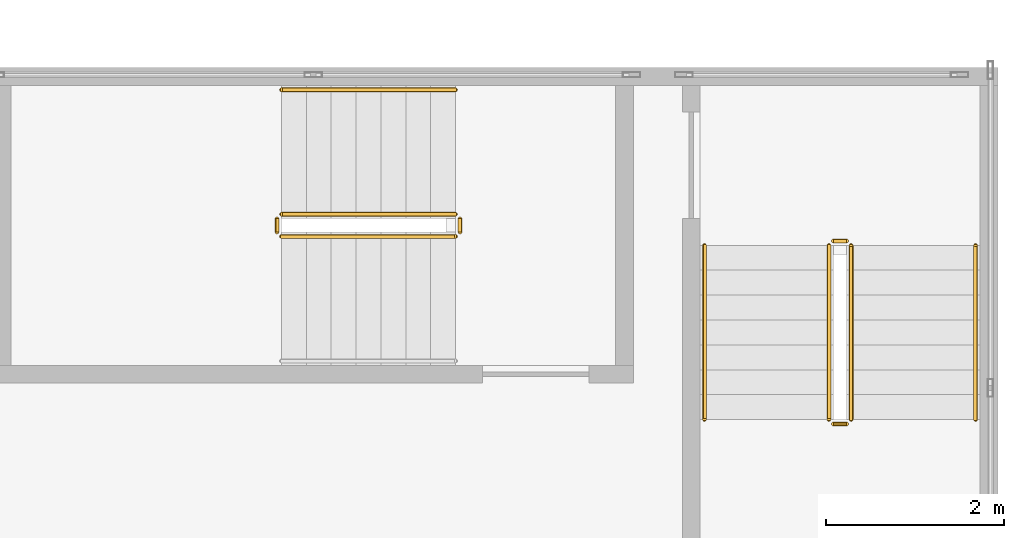
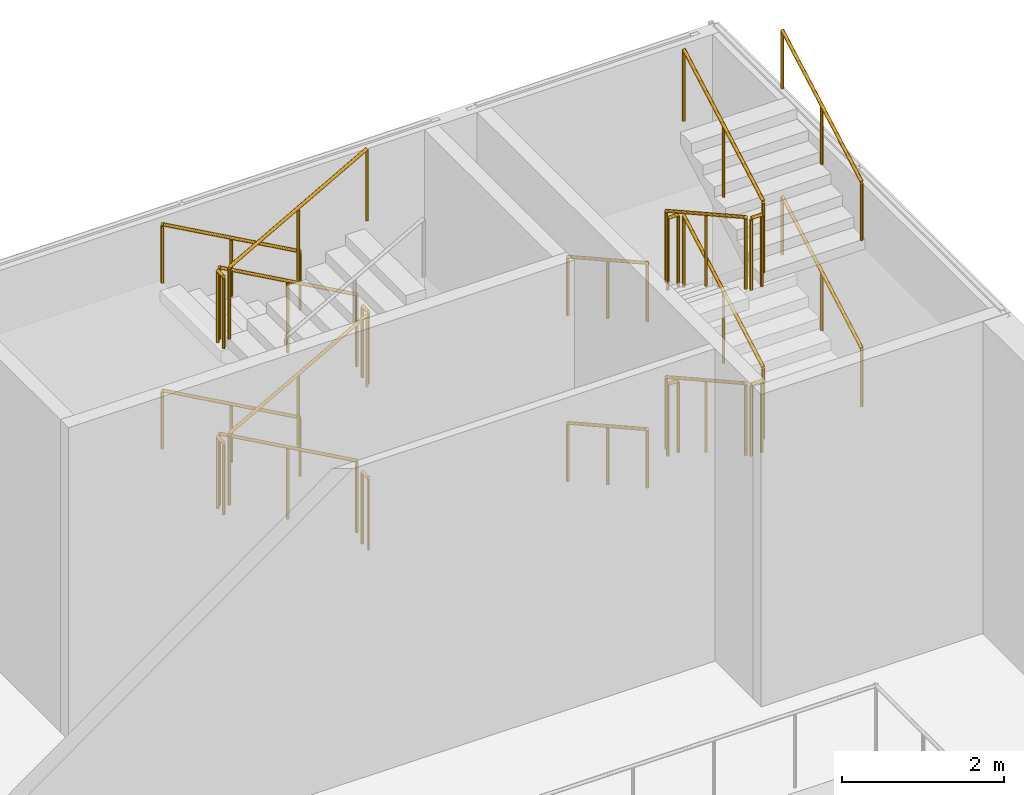
# One storey, part 23 of 23: 22 railings.
"""IFC4 building model written with IfcOpenShell, lengths in metres."""

from ifc_helpers import new_model, si_unit, direction, frame, origin, origin_2d, place, context, subcontext, project, spatial, circle, extrude, source, transform, mapped, material, type_object, element, save


model = new_model("IFC4")

# Units and contexts
model_context = context("Model", 3, precision=1e-05, world=origin(), true_north=direction((0.0, 1.0)))
body_context = subcontext(model_context, "Body", "Model", "MODEL_VIEW")
ifc_project = project(units=[si_unit("LENGTHUNIT", "METRE"), si_unit("AREAUNIT", "SQUARE_METRE"), si_unit("VOLUMEUNIT", "CUBIC_METRE"), si_unit("PLANEANGLEUNIT", "RADIAN"), si_unit("MASSUNIT", "GRAM", prefix="KILO")], contexts=[model_context])

# Site, building, storey
site_placement = place(None, origin())
site = spatial("IfcSite", under=ifc_project, at=site_placement, CompositionType="ELEMENT")
building_placement = place(site_placement, origin())
building = spatial("IfcBuilding", under=site, at=building_placement, Name="Khomas Fold Tower", CompositionType="ELEMENT")
storey_placement = place(building_placement, frame((0.0, 0.0, 18.5)))
storey = spatial("IfcBuildingStorey", under=building, at=storey_placement, Name="L03", CompositionType="ELEMENT", Elevation=18.5)

# Railings
ifc_material_1 = material(Name="Steel balustrade", Category="steel")
railing_type_1 = type_object("IfcRailingType", Name="Stair guard", PredefinedType="GUARDRAIL", material=ifc_material_1)
shared_shape_1 = source(origin(), body_context, "Body", "SweptSolid", [
    extrude(circle(Radius=0.02392578125, at=origin_2d()), frame((0.0, 0.0, 1.076171875), z_axis=(0.873232148454, 0.0, 0.487304437602), x_axis=(0.0, 1.0, 0.0)), (0.0, 0.0, 1.0), 2.244384765625),
    extrude(circle(Radius=0.02099609375, at=origin_2d()), origin(), (0.0, 0.0, 1.0), 1.052001953125),
    extrude(circle(Radius=0.02099609375, at=origin_2d()), frame((0.97998046875, 0.0, 0.546875)), (0.0, 0.0, 1.0), 1.052001953125),
    extrude(circle(Radius=0.02099609375, at=origin_2d()), frame((1.9599609375, 0.0, 1.09375)), (0.0, 0.0, 1.0), 1.052001953125),
])
for number, where, name in (
    (1, (72.93994140625, 52.10009765625, 1.40625), "L03 PS5 stair guard 3"),
    (2, (72.93994140625, 52.10009765625, 3.90625), "L03 PS5 stair guard 7"),
):
    element("IfcRailing", number, at=place(storey_placement, frame(where)), inside=storey, type_object=railing_type_1, Name=name, PredefinedType="GUARDRAIL", context=body_context, shape_type="MappedRepresentation", body=[
        mapped(shared_shape_1, transform((0.0, 0.0, 0.0))),
    ])
shared_shape_2 = source(origin(), body_context, "Body", "SweptSolid", [
    extrude(circle(Radius=0.02392578125, at=origin_2d()), frame((0.0, 0.0, 1.076171875), z_axis=(-0.873232148454, 0.0, 0.487304437602), x_axis=(0.0, -1.0, 0.0)), (0.0, 0.0, 1.0), 2.244384765625),
    extrude(circle(Radius=0.02099609375, at=origin_2d()), origin(), (0.0, 0.0, 1.0), 1.052001953125),
    extrude(circle(Radius=0.02099609375, at=origin_2d()), frame((-0.97998046875, 0.0, 0.546875)), (0.0, 0.0, 1.0), 1.052001953125),
    extrude(circle(Radius=0.02099609375, at=origin_2d()), frame((-1.9599609375, 0.0, 1.09375)), (0.0, 0.0, 1.0), 1.052001953125),
])
for number, where, name in (
    (3, (74.89990234375, 52.35009765625, 0.15625), "L03 PS5 stair guard 1"),
    (4, (74.89990234375, 52.35009765625, 2.65625), "L03 PS5 stair guard 5"),
):
    element("IfcRailing", number, at=place(storey_placement, frame(where)), inside=storey, type_object=railing_type_1, Name=name, PredefinedType="GUARDRAIL", context=body_context, shape_type="MappedRepresentation", body=[
        mapped(shared_shape_2, transform((0.0, 0.0, 0.0))),
    ])
ifc_material_2 = material(Name="Steel handrail", Category="steel")
railing_type_2 = type_object("IfcRailingType", Name="Stair handrail", PredefinedType="HANDRAIL", material=ifc_material_2)
shared_shape_3 = source(origin(), body_context, "Body", "SweptSolid", [
    extrude(circle(Radius=0.02392578125, at=origin_2d()), frame((0.0, 0.0, 0.8759765625), z_axis=(-0.873232148454, 0.0, 0.487304437602), x_axis=(0.0, -1.0, 0.0)), (0.0, 0.0, 1.0), 2.244384765625),
    extrude(circle(Radius=0.02099609375, at=origin_2d()), origin(), (0.0, 0.0, 1.0), 0.851806640625),
    extrude(circle(Radius=0.02099609375, at=origin_2d()), frame((-0.97998046875, 0.0, 0.546875)), (0.0, 0.0, 1.0), 0.851806640625),
    extrude(circle(Radius=0.02099609375, at=origin_2d()), frame((-1.9599609375, 0.0, 1.09375)), (0.0, 0.0, 1.0), 0.851806640625),
])
for number, where, name in (
    (5, (74.89990234375, 53.75, 0.15625), "L03 PS5 stair handrail 1"),
    (6, (74.89990234375, 53.75, 2.65625), "L03 PS5 stair handrail 3"),
):
    element("IfcRailing", number, at=place(storey_placement, frame(where)), inside=storey, type_object=railing_type_2, Name=name, PredefinedType="HANDRAIL", context=body_context, shape_type="MappedRepresentation", body=[
        mapped(shared_shape_3, transform((0.0, 0.0, 0.0))),
    ])
shared_shape_4 = source(origin(), body_context, "Body", "SweptSolid", [
    extrude(circle(Radius=0.02392578125, at=origin_2d()), frame((0.0, 0.0, 1.076171875), z_axis=(0.0, 0.873232148454, 0.487304437602), x_axis=(-1.0, 0.0, 0.0)), (0.0, 0.0, 1.0), 2.244384765625),
    extrude(circle(Radius=0.02099609375, at=origin_2d()), origin(), (0.0, 0.0, 1.0), 1.052001953125),
    extrude(circle(Radius=0.02099609375, at=origin_2d()), frame((0.0, 0.97998046875, 0.546875)), (0.0, 0.0, 1.0), 1.052001953125),
    extrude(circle(Radius=0.02099609375, at=origin_2d()), frame((0.0, 1.9599609375, 1.09375)), (0.0, 0.0, 1.0), 1.052001953125),
])
for number, where, name in (
    (7, (79.35009765625, 50.0400390625, 1.40625), "L03 PS6 stair guard 3"),
    (8, (79.35009765625, 50.0400390625, 3.90625), "L03 PS6 stair guard 7"),
):
    element("IfcRailing", number, at=place(storey_placement, frame(where)), inside=storey, type_object=railing_type_1, Name=name, PredefinedType="GUARDRAIL", context=body_context, shape_type="MappedRepresentation", body=[
        mapped(shared_shape_4, transform((0.0, 0.0, 0.0))),
    ])
shared_shape_5 = source(origin(), body_context, "Body", "SweptSolid", [
    extrude(circle(Radius=0.02392578125, at=origin_2d()), frame((0.0, 0.0, 1.076171875), z_axis=(0.0, -0.873232148454, 0.487304437602), x_axis=(1.0, 0.0, 0.0)), (0.0, 0.0, 1.0), 2.244384765625),
    extrude(circle(Radius=0.02099609375, at=origin_2d()), origin(), (0.0, 0.0, 1.0), 1.052001953125),
    extrude(circle(Radius=0.02099609375, at=origin_2d()), frame((0.0, -0.97998046875, 0.546875)), (0.0, 0.0, 1.0), 1.052001953125),
    extrude(circle(Radius=0.02099609375, at=origin_2d()), frame((0.0, -1.9599609375, 1.09375)), (0.0, 0.0, 1.0), 1.052001953125),
])
for number, where, name in (
    (9, (79.10009765625, 52.0, 0.15625), "L03 PS6 stair guard 1"),
    (10, (79.10009765625, 52.0, 2.65625), "L03 PS6 stair guard 5"),
):
    element("IfcRailing", number, at=place(storey_placement, frame(where)), inside=storey, type_object=railing_type_1, Name=name, PredefinedType="GUARDRAIL", context=body_context, shape_type="MappedRepresentation", body=[
        mapped(shared_shape_5, transform((0.0, 0.0, 0.0))),
    ])
shared_shape_6 = source(origin(), body_context, "Body", "SweptSolid", [
    extrude(circle(Radius=0.02392578125, at=origin_2d()), frame((0.0, 0.0, 0.8759765625), z_axis=(0.0, 0.873232148454, 0.487304437602), x_axis=(-1.0, 0.0, 0.0)), (0.0, 0.0, 1.0), 2.244384765625),
    extrude(circle(Radius=0.02099609375, at=origin_2d()), origin(), (0.0, 0.0, 1.0), 0.851806640625),
    extrude(circle(Radius=0.02099609375, at=origin_2d()), frame((0.0, 0.97998046875, 0.546875)), (0.0, 0.0, 1.0), 0.851806640625),
    extrude(circle(Radius=0.02099609375, at=origin_2d()), frame((0.0, 1.9599609375, 1.09375)), (0.0, 0.0, 1.0), 0.851806640625),
])
for number, where, name in (
    (11, (80.75, 50.0400390625, 1.40625), "L03 PS6 stair handrail 2"),
    (12, (80.75, 50.0400390625, 3.90625), "L03 PS6 stair handrail 4"),
):
    element("IfcRailing", number, at=place(storey_placement, frame(where)), inside=storey, type_object=railing_type_2, Name=name, PredefinedType="HANDRAIL", context=body_context, shape_type="MappedRepresentation", body=[
        mapped(shared_shape_6, transform((0.0, 0.0, 0.0))),
    ])
shared_shape_7 = source(origin(), body_context, "Body", "SweptSolid", [
    extrude(circle(Radius=0.02392578125, at=origin_2d()), frame((0.0, 0.0, 0.8759765625), z_axis=(0.0, -0.873232148454, 0.487304437602), x_axis=(1.0, 0.0, 0.0)), (0.0, 0.0, 1.0), 2.244384765625),
    extrude(circle(Radius=0.02099609375, at=origin_2d()), origin(), (0.0, 0.0, 1.0), 0.851806640625),
    extrude(circle(Radius=0.02099609375, at=origin_2d()), frame((0.0, -0.97998046875, 0.546875)), (0.0, 0.0, 1.0), 0.851806640625),
    extrude(circle(Radius=0.02099609375, at=origin_2d()), frame((0.0, -1.9599609375, 1.09375)), (0.0, 0.0, 1.0), 0.851806640625),
])
for number, where, name in (
    (13, (77.699951171875, 52.0, 0.15625), "L03 PS6 stair handrail 1"),
    (14, (77.699951171875, 52.0, 2.65625), "L03 PS6 stair handrail 3"),
):
    element("IfcRailing", number, at=place(storey_placement, frame(where)), inside=storey, type_object=railing_type_2, Name=name, PredefinedType="HANDRAIL", context=body_context, shape_type="MappedRepresentation", body=[
        mapped(shared_shape_7, transform((0.0, 0.0, 0.0))),
    ])
shared_shape_8 = source(origin(), body_context, "Body", "SweptSolid", [
    extrude(circle(Radius=0.02392578125, at=origin_2d()), frame((0.0, 0.0, 1.076171875), z_axis=(0.0, -1.0, 0.0), x_axis=(1.0, 0.0, 0.0)), (0.0, 0.0, 1.0), 0.150146484375),
    extrude(circle(Radius=0.02099609375, at=origin_2d()), origin(), (0.0, 0.0, 1.0), 1.052001953125),
    extrude(circle(Radius=0.02099609375, at=origin_2d()), frame((0.0, -0.150146484375, 0.0)), (0.0, 0.0, 1.0), 1.052001953125),
])
for number, where, name in (
    (15, (72.889892578125, 52.300048828125, 1.25), "L03 PS5 stair guard 2"),
    (16, (74.949951171875, 52.300048828125, 2.5), "L03 PS5 stair guard 4"),
    (17, (72.889892578125, 52.300048828125, 3.75), "L03 PS5 stair guard 6"),
    (18, (74.949951171875, 52.300048828125, 0.0), "L03 PS5 stair guard 8"),
):
    element("IfcRailing", number, at=place(storey_placement, frame(where)), inside=storey, type_object=railing_type_1, Name=name, PredefinedType="GUARDRAIL", context=body_context, shape_type="MappedRepresentation", body=[
        mapped(shared_shape_8, transform((0.0, 0.0, 0.0))),
    ])
shared_shape_9 = source(origin(), body_context, "Body", "SweptSolid", [
    extrude(circle(Radius=0.02392578125, at=origin_2d()), frame((0.0, 0.0, 1.076171875), z_axis=(1.0, 0.0, 0.0), x_axis=(0.0, 1.0, 0.0)), (0.0, 0.0, 1.0), 0.150146484375),
    extrude(circle(Radius=0.02099609375, at=origin_2d()), origin(), (0.0, 0.0, 1.0), 1.052001953125),
    extrude(circle(Radius=0.02099609375, at=origin_2d()), frame((0.150146484375, 0.0, 0.0)), (0.0, 0.0, 1.0), 1.052001953125),
])
for number, where, name in (
    (19, (79.14990234375, 49.989990234375, 1.25), "L03 PS6 stair guard 2"),
    (20, (79.14990234375, 52.050048828125, 2.5), "L03 PS6 stair guard 4"),
    (21, (79.14990234375, 49.989990234375, 3.75), "L03 PS6 stair guard 6"),
    (22, (79.14990234375, 52.050048828125, 0.0), "L03 PS6 stair guard 8"),
):
    element("IfcRailing", number, at=place(storey_placement, frame(where)), inside=storey, type_object=railing_type_1, Name=name, PredefinedType="GUARDRAIL", context=body_context, shape_type="MappedRepresentation", body=[
        mapped(shared_shape_9, transform((0.0, 0.0, 0.0))),
    ])

save(model, "model.ifc")
